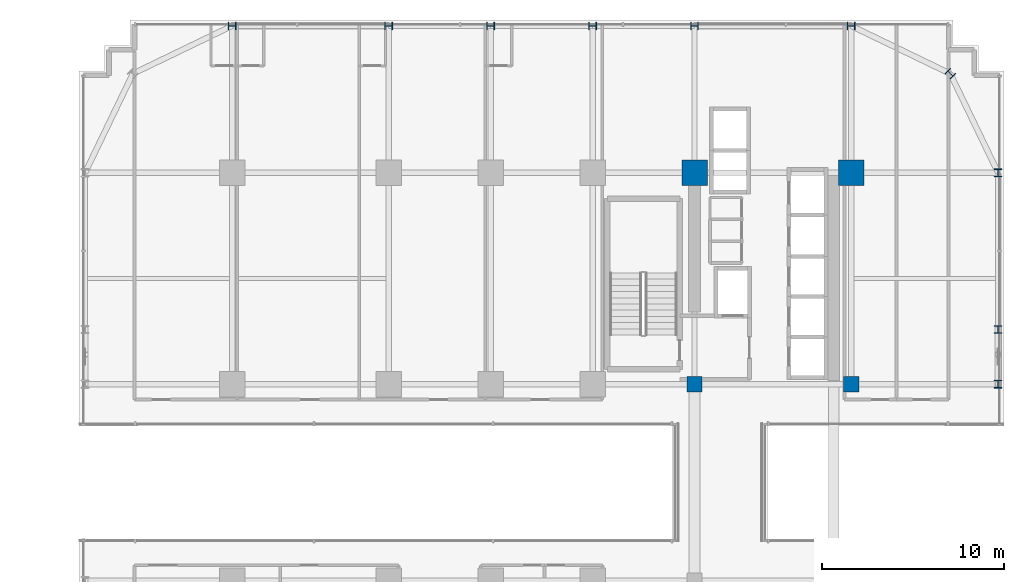
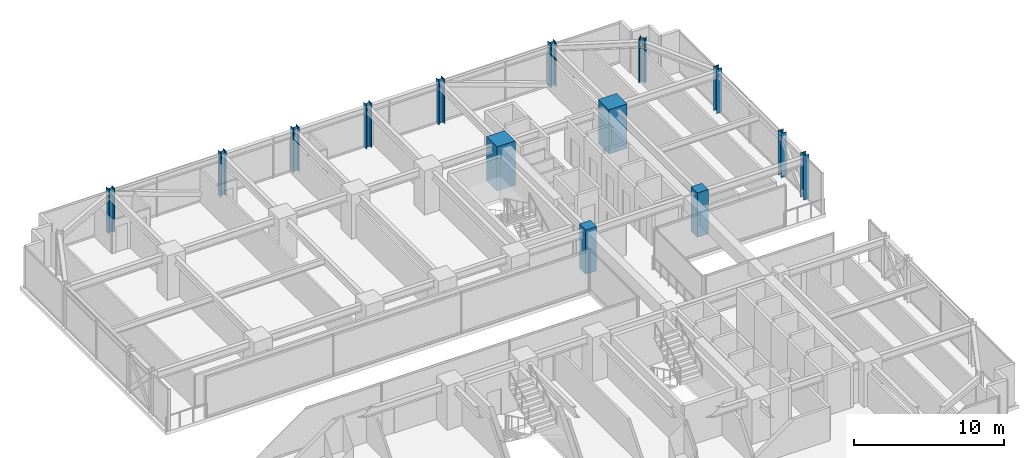
# One storey, part 2 of 37: 14 columns.
"""IFC4 building model written with IfcOpenShell, lengths in metres."""

from ifc_helpers import new_model, si_unit, direction, frame, origin, origin_2d, place, context, subcontext, project, spatial, rectangle, i_section, extrude, source, transform, mapped, material, material_profile, profile_set, type_object, element, save


model = new_model("IFC4")

# Units and contexts
model_context = context("Model", 3, precision=1e-05, world=origin(), true_north=direction((0.0, 1.0)))
body_context = subcontext(model_context, "Body", "Model", "MODEL_VIEW")
ifc_project = project(units=[si_unit("LENGTHUNIT", "METRE"), si_unit("AREAUNIT", "SQUARE_METRE"), si_unit("VOLUMEUNIT", "CUBIC_METRE"), si_unit("PLANEANGLEUNIT", "RADIAN"), si_unit("MASSUNIT", "GRAM", prefix="KILO")], contexts=[model_context])

# Site, building, storey
site_placement = place(None, origin())
site = spatial("IfcSite", under=ifc_project, at=site_placement, CompositionType="ELEMENT")
building_placement = place(site_placement, origin())
building = spatial("IfcBuilding", under=site, at=building_placement, Name="Nahalor Promenade Grand Hotel", CompositionType="ELEMENT")
storey_placement = place(building_placement, frame((0.0, 0.0, 65.25)))
storey = spatial("IfcBuildingStorey", under=building, at=storey_placement, Name="L15", CompositionType="ELEMENT", Elevation=65.25)

# Columns
ifc_material_1 = material(Name="Concrete B-70 (C60/75)", Category="concrete")
ifc_material_profile_1 = material_profile(ifc_material_1, rectangle(XDim=1.4, YDim=1.4, at=origin_2d()), Name="RC 1400x1400")
ifc_profile_set_1 = profile_set([ifc_material_profile_1], Name="Concrete B-70 (C60/75)")
column_type_1 = type_object("IfcColumnType", Name="Col-RC-1400", PredefinedType="COLUMN", material=ifc_profile_set_1)
shared_shape_1 = source(origin(), body_context, "Body", "SweptSolid", [
    extrude(rectangle(XDim=1.4, YDim=1.4, at=origin_2d()), origin(), (0.0, 0.0, 1.0), 3.60498046875),
])
for number, where, z_axis, x_axis, name in (
    (1, (8.39990234375, 17.0, 0.0), (0.0, 0.0, 1.0), (1.0, 0.0, 0.0), "COL-L15-I43"),
    (2, (17.0, 17.0, 0.0), (0.0, 0.0, 1.0), (1.0, 0.0, 0.0), "COL-L15-I53"),
):
    element("IfcColumn", number, at=place(storey_placement, frame(where, z_axis=z_axis, x_axis=x_axis)), inside=storey, type_object=column_type_1, Name=name, PredefinedType="COLUMN", context=body_context, shape_type="MappedRepresentation", body=[
        mapped(shared_shape_1, transform((0.0, 0.0, 0.0), scale=1.0)),
    ])
ifc_material_profile_2 = material_profile(ifc_material_1, rectangle(XDim=0.85, YDim=0.85, at=origin_2d()), Name="RC 850x850")
ifc_profile_set_2 = profile_set([ifc_material_profile_2], Name="Concrete B-70 (C60/75)")
column_type_2 = type_object("IfcColumnType", Name="Col-Pilaster-850", PredefinedType="PILASTER", material=ifc_profile_set_2)
shared_shape_2 = source(origin(), body_context, "Body", "SweptSolid", [
    extrude(rectangle(XDim=0.85, YDim=0.85, at=origin_2d()), origin(), (0.0, 0.0, 1.0), 3.60498046875),
])
for number, where, z_axis, x_axis, name in (
    (3, (8.39990234375, 5.39990234375, 0.0), (0.0, 0.0, 1.0), (1.0, 0.0, 0.0), "COL-L15-I42"),
    (4, (17.0, 5.39990234375, 0.0), (0.0, 0.0, 1.0), (1.0, 0.0, 0.0), "COL-L15-I52"),
):
    element("IfcColumn", number, at=place(storey_placement, frame(where, z_axis=z_axis, x_axis=x_axis)), inside=storey, type_object=column_type_2, Name=name, PredefinedType="PILASTER", context=body_context, shape_type="MappedRepresentation", body=[
        mapped(shared_shape_2, transform((0.0, 0.0, 0.0), scale=1.0)),
    ])
ifc_material_2 = material(Name="Steel S355J2", Category="steel")
ifc_material_profile_3 = material_profile(ifc_material_2, i_section(OverallWidth=0.412, OverallDepth=0.438, WebThickness=0.0226, FlangeThickness=0.0365, at=origin_2d()), Name="HD 400x463")
ifc_profile_set_3 = profile_set([ifc_material_profile_3], Name="Steel S355J2")
column_type_3 = type_object("IfcColumnType", Name="Col-Steel-HD463", PredefinedType="COLUMN", material=ifc_profile_set_3)
shared_shape_3 = source(origin(), body_context, "Body", "SweptSolid", [
    extrude(i_section(OverallWidth=0.412, OverallDepth=0.438, WebThickness=0.0226, FlangeThickness=0.0365, at=origin_2d()), origin(), (0.0, 0.0, 1.0), 3.60498046875),
])
for number, where, z_axis, x_axis, name in (
    (5, (25.080078125, 5.39990234375, 0.0), (0.0, 0.0, 1.0), (1.0, 0.0, 0.0), "COL-L15-PW-E3"),
    (6, (25.080078125, 8.39990234375, 0.0), (0.0, 0.0, 1.0), (1.0, 0.0, 0.0), "COL-L15-PW-E4"),
    (7, (25.080078125, 17.0, 0.0), (0.0, 0.0, 1.0), (1.0, 0.0, 0.0), "COL-L15-PW-E5"),
    (8, (-17.0, 25.080078125, 0.0), (0.0, 0.0, 1.0), (0.0, 1.0, 0.0), "COL-L15-PN-N0"),
    (9, (-8.39990234375, 25.080078125, 0.0), (0.0, 0.0, 1.0), (0.0, 1.0, 0.0), "COL-L15-PN-N1"),
    (10, (-2.800048828125, 25.080078125, 0.0), (0.0, 0.0, 1.0), (0.0, 1.0, 0.0), "COL-L15-PN-N2"),
    (11, (2.800048828125, 25.080078125, 0.0), (0.0, 0.0, 1.0), (0.0, 1.0, 0.0), "COL-L15-PN-N3"),
    (12, (8.39990234375, 25.080078125, 0.0), (0.0, 0.0, 1.0), (0.0, 1.0, 0.0), "COL-L15-PN-N4"),
    (13, (17.0, 25.080078125, 0.0), (0.0, 0.0, 1.0), (0.0, 1.0, 0.0), "COL-L15-PN-N5"),
    (14, (22.449951171875, 22.449951171875, 0.0), (0.0, 0.0, 1.0), (0.707106781187, 0.707106781187, 0.0), "COL-L15-CRN-NE"),
):
    element("IfcColumn", number, at=place(storey_placement, frame(where, z_axis=z_axis, x_axis=x_axis)), inside=storey, type_object=column_type_3, Name=name, PredefinedType="COLUMN", context=body_context, shape_type="MappedRepresentation", body=[
        mapped(shared_shape_3, transform((0.0, 0.0, 0.0), scale=1.0)),
    ])

save(model, "model.ifc")
